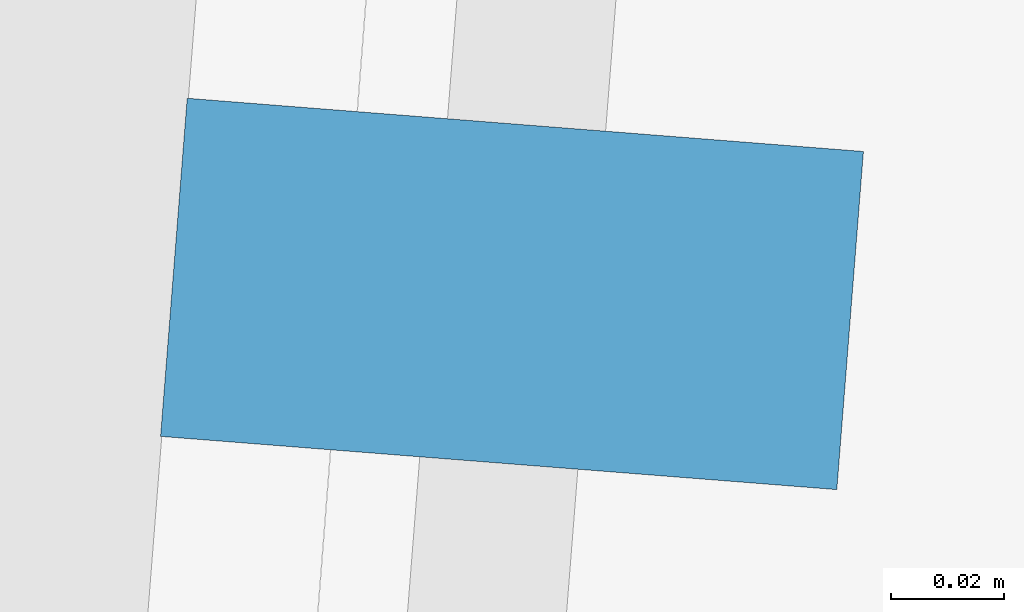
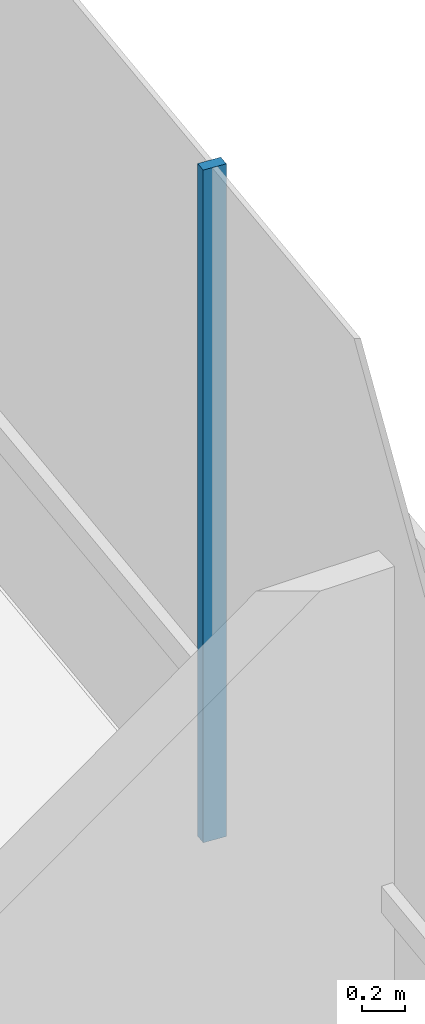
# One storey, part 12 of 23: 1 member, 1 element without a shape of its own.
"""IFC4 building model written with IfcOpenShell, lengths in metres."""

import ifcopenshell
import ifcopenshell.guid

model = None  # the IFC model being written
_history = None  # IfcOwnerHistory: only IFC2X3 demands one
_inside = {}  # id of a spatial element -> (the spatial element, [elements in it])
_under = {}  # id of a project, library or spatial element -> (it, [spatial elements below it])
_declared = {}  # id of a project -> (the project, [libraries it declares])
_typed = {}  # id of a type object -> (the type object, [elements of that type])
_made_of = {}  # id of a material, layer set ... -> (it, [elements and type objects made of it])


def new_model(schema):
    """Start an empty IFC model of exactly this schema.

    Asked for "IFC4X3", IfcOpenShell would pick the latest addendum, in which some entities
    have other attributes; the version numbers below select the first issue.
    IFC2X3 requires an IfcOwnerHistory on every rooted entity: one is made here for all.
    """
    global model, _history
    if schema == "IFC4X3":
        model = ifcopenshell.file(schema_version=(4, 3, 0, 0))
    else:
        model = ifcopenshell.file(schema=schema)
    _inside.clear()
    _under.clear()
    _declared.clear()
    _typed.clear()
    _made_of.clear()
    _history = None
    if model.schema == "IFC2X3":
        org = make("IfcOrganization", Name="unknown")
        user = make(
            "IfcPersonAndOrganization",
            ThePerson=make("IfcPerson", FamilyName="unknown"),
            TheOrganization=org,
        )
        app = make(
            "IfcApplication",
            ApplicationDeveloper=org,
            Version="unknown",
            ApplicationFullName="unknown",
            ApplicationIdentifier="unknown",
        )
        _history = make(
            "IfcOwnerHistory",
            OwningUser=user,
            OwningApplication=app,
            ChangeAction="ADDED",
            CreationDate=0,
        )
    return model


def make(cls, **values):
    """One entity of the class cls with the attributes given. An attribute that is None is left unset."""
    return model.create_entity(
        cls, **{name: value for name, value in values.items() if value is not None}
    )


def rooted(cls, **values):
    """An entity with a GlobalId (a new one), such as an element, a storey or a relation."""
    return make(cls, GlobalId=ifcopenshell.guid.new(), OwnerHistory=_history, **values)


def si_unit(unit_type, name, prefix=None):
    """IfcSIUnit, for example si_unit("LENGTHUNIT", "METRE", prefix="MILLI")."""
    return make("IfcSIUnit", UnitType=unit_type, Prefix=prefix, Name=name)


def assignment(units):
    """IfcUnitAssignment: the units of a project."""
    return None if units is None else make("IfcUnitAssignment", Units=units)


def point(xyz):
    """IfcCartesianPoint."""
    return None if xyz is None else make("IfcCartesianPoint", Coordinates=xyz)


def direction(xyz):
    """IfcDirection."""
    return None if xyz is None else make("IfcDirection", DirectionRatios=xyz)


def frame(location, z_axis=None, x_axis=None):
    """IfcAxis2Placement3D, a coordinate frame: its origin and axes. An axis left out is left unset."""
    return make(
        "IfcAxis2Placement3D",
        Location=point(location),
        Axis=direction(z_axis),
        RefDirection=direction(x_axis),
    )


def frame_2d(location, x_axis=None):
    """IfcAxis2Placement2D, a coordinate frame in the plane: its origin and x axis."""
    return make(
        "IfcAxis2Placement2D", Location=point(location), RefDirection=direction(x_axis)
    )


def origin():
    """The frame at (0, 0, 0) with its axes left unset."""
    return frame((0.0, 0.0, 0.0))


def origin_2d():
    """The frame at (0, 0) in the plane with its x axis left unset."""
    return frame_2d((0.0, 0.0))


def place(relative_to, where):
    """IfcLocalPlacement: puts the frame where relative to a parent placement (None: the world)."""
    return make(
        "IfcLocalPlacement", PlacementRelTo=relative_to, RelativePlacement=where
    )


def context(
    kind, dimensions, precision=None, world=None, true_north=None, identifier=None
):
    """IfcGeometricRepresentationContext, for example the 3D "Model" context."""
    return make(
        "IfcGeometricRepresentationContext",
        ContextIdentifier=identifier,
        ContextType=kind,
        CoordinateSpaceDimension=dimensions,
        Precision=precision,
        WorldCoordinateSystem=world,
        TrueNorth=true_north,
    )


def subcontext(parent, identifier, kind, view, scale=None):
    """IfcGeometricRepresentationSubContext, for example "Body" below "Model"."""
    return make(
        "IfcGeometricRepresentationSubContext",
        ContextIdentifier=identifier,
        ContextType=kind,
        ParentContext=parent,
        TargetScale=scale,
        TargetView=view,
    )


def project(units=None, contexts=None):
    """IfcProject with its units and contexts."""
    return rooted(
        "IfcProject",
        Name="project",
        RepresentationContexts=contexts,
        UnitsInContext=assignment(units),
    )


def spatial(cls, under=None, at=None, **own):
    """A site, building, storey or space (cls), placed at a placement, below another one or the project."""
    s = rooted(cls, ObjectPlacement=at, **own)
    if under is not None:
        _under.setdefault(under.id(), (under, []))[1].append(s)
    return s


def profile(cls, at=None, kind="AREA", **sizes):
    """A parametric profile (cls). Its sizes go by their IFC names, for example OverallWidth=200.0."""
    return make(cls, ProfileType=kind, Position=at, **sizes)


def rectangle(**sizes):
    """IfcRectangleProfileDef."""
    return profile("IfcRectangleProfileDef", **sizes)


def extrude(swept, where, along, depth):
    """IfcExtrudedAreaSolid: the profile swept, set in the frame where, extruded along a direction by depth."""
    return make(
        "IfcExtrudedAreaSolid",
        SweptArea=swept,
        Position=where,
        ExtrudedDirection=direction(along),
        Depth=depth,
    )


def shape(context_of_items, identifier, shape_type, items):
    """IfcShapeRepresentation: the items that make up one representation, for example the "Body"."""
    return make(
        "IfcShapeRepresentation",
        ContextOfItems=context_of_items,
        RepresentationIdentifier=identifier,
        RepresentationType=shape_type,
        Items=items,
    )


def material(Name=None, Category=None):
    """IfcMaterial."""
    return make("IfcMaterial", Name=Name, Category=Category)


def layer(
    of_material, thickness, ventilated=None, Name=None, Category=None, Priority=None
):
    """IfcMaterialLayer: one layer of a wall or slab, of a material (None: an air gap)."""
    return make(
        "IfcMaterialLayer",
        Material=of_material,
        LayerThickness=thickness,
        IsVentilated=ventilated,
        Name=Name,
        Category=Category,
        Priority=Priority,
    )


def layer_set(layers, Name=None):
    """IfcMaterialLayerSet."""
    return make("IfcMaterialLayerSet", MaterialLayers=layers, LayerSetName=Name)


def material_profile(
    of_material, cross_section, Name=None, Category=None, Priority=None
):
    """IfcMaterialProfile: a cross section and its material."""
    return make(
        "IfcMaterialProfile",
        Name=Name,
        Material=of_material,
        Profile=cross_section,
        Priority=Priority,
        Category=Category,
    )


def profile_set(profiles, Name=None, composite=None):
    """IfcMaterialProfileSet."""
    return make(
        "IfcMaterialProfileSet",
        Name=Name,
        MaterialProfiles=profiles,
        CompositeProfile=composite,
    )


def made_of(thing, what):
    """Note that an element or type object is made of a material, layer set ...; save() writes the relation."""
    if what is not None:
        _made_of.setdefault(what.id(), (what, []))[1].append(thing)
    return thing


def type_object(cls, material=None, **own):
    """A type object (cls), such as IfcWallType, which elements share."""
    return made_of(rooted(cls, **own), material)


def element(
    cls,
    number,
    at=None,
    inside=None,
    cuts=None,
    type_object=None,
    material=None,
    context=None,
    identifier="Body",
    shape_type=None,
    held_by="IfcProductDefinitionShape",
    body=None,
    shapes=None,
    **own,
):
    """One element of the class cls, such as IfcWall. Its Tag is "e" and its number.

    at: its placement. inside: the storey or other place that contains it. cuts: it is an
    opening in that element (IfcRelVoidsElement). A single representation is given by context,
    identifier, shape_type and body (its items); several are given by shapes. held_by: the class
    of the entity that holds the representations. save() writes the other relations.
    """
    e = rooted(cls, Tag="e%d" % number, ObjectPlacement=at, **own)
    if body is not None:
        shapes = [shape(context, identifier, shape_type, body)]
    if shapes is not None:
        e.Representation = make(held_by, Representations=shapes)
    if inside is not None:
        _inside.setdefault(inside.id(), (inside, []))[1].append(e)
    if cuts is not None:
        rooted(
            "IfcRelVoidsElement", RelatingBuildingElement=cuts, RelatedOpeningElement=e
        )
    if type_object is not None:
        _typed.setdefault(type_object.id(), (type_object, []))[1].append(e)
    return made_of(e, material)


def aggregate(whole, parts):
    """IfcRelAggregates: a whole, such as a stair, and the parts it consists of."""
    return rooted("IfcRelAggregates", RelatingObject=whole, RelatedObjects=parts)


def save(model, path):
    """Write the relations noted so far, then the file.

    IfcRelAggregates (storeys below a building ...), IfcRelContainedInSpatialStructure (elements
    in a storey), IfcRelDefinesByType, IfcRelAssociatesMaterial and IfcRelDeclares: one each for
    every whole, place, type object, material and project.
    """
    for whole, parts in _under.values():
        aggregate(whole, parts)
    for where, things in _inside.values():
        rooted(
            "IfcRelContainedInSpatialStructure",
            RelatedElements=things,
            RelatingStructure=where,
        )
    for kind, things in _typed.values():
        rooted("IfcRelDefinesByType", RelatedObjects=things, RelatingType=kind)
    for what, things in _made_of.values():
        rooted("IfcRelAssociatesMaterial", RelatedObjects=things, RelatingMaterial=what)
    for by, libraries in _declared.values():
        rooted("IfcRelDeclares", RelatingContext=by, RelatedDefinitions=libraries)
    model.write(path)


model = new_model("IFC4")

# Units and contexts
model_context = context("Model", 3, precision=1e-05, world=origin(), true_north=direction((0.0, 1.0)))
body_context = subcontext(model_context, "Body", "Model", "MODEL_VIEW")
ifc_project = project(units=[si_unit("LENGTHUNIT", "METRE"), si_unit("AREAUNIT", "SQUARE_METRE"), si_unit("VOLUMEUNIT", "CUBIC_METRE"), si_unit("PLANEANGLEUNIT", "RADIAN"), si_unit("MASSUNIT", "GRAM", prefix="KILO")], contexts=[model_context])

# Site, building, storey
site_placement = place(None, origin())
site = spatial("IfcSite", under=ifc_project, at=site_placement, CompositionType="ELEMENT")
building_placement = place(site_placement, origin())
building = spatial("IfcBuilding", under=site, at=building_placement, Name="Welwitschia Terrace Campus", CompositionType="ELEMENT")
storey_placement = place(building_placement, frame((0.0, 0.0, 247.39990234375)))
storey = spatial("IfcBuildingStorey", under=building, at=storey_placement, Name="L55", CompositionType="ELEMENT", Elevation=247.39990234375)

# Curtain wall, member
ifc_material_1 = material(Name="Bronze anodised aluminium", Category="aluminium")
ifc_layer = layer(ifc_material_1, 0.1201171875)
ifc_layer_set = layer_set([ifc_layer], Name="Bronze anodised aluminium")
curtain_wall_type = type_object("IfcCurtainWallType", Name="Curtain wall CW2 tower 6000", PredefinedType="NOTDEFINED", material=ifc_layer_set)
curtain_wall_placement = place(storey_placement, origin())
curtain_wall = element("IfcCurtainWall", 1, at=curtain_wall_placement, inside=storey, type_object=curtain_wall_type, Name="CW L55.8.0", PredefinedType="NOTDEFINED")
ifc_material_2 = material(Name="Bronze anodised aluminium", Category="aluminium")
ifc_material_profile = material_profile(ifc_material_2, rectangle(XDim=0.1201171875, YDim=0.06005859375, at=origin_2d()))
ifc_profile_set = profile_set([ifc_material_profile], Name="Bronze anodised aluminium")
member_type = type_object("IfcMemberType", Name="Mullion 60x120", PredefinedType="MULLION", material=ifc_profile_set)
member_placement = place(storey_placement, frame((26.371826171875, 53.004638671875, 0.0), z_axis=(0.0, 0.0, 1.0), x_axis=(-0.996917333733, 0.078459095728, 0.0)))
member = element("IfcMember", 2, at=member_placement, type_object=member_type, Name="Mullion L55.8.0.3", PredefinedType="MULLION", context=body_context, shape_type="SweptSolid", body=[
    extrude(rectangle(XDim=0.1201171875, YDim=0.06005859375, at=origin_2d()), origin(), (0.0, 0.0, 1.0), 3.85009765625),
])
aggregate(curtain_wall, [member])

save(model, "model.ifc")
